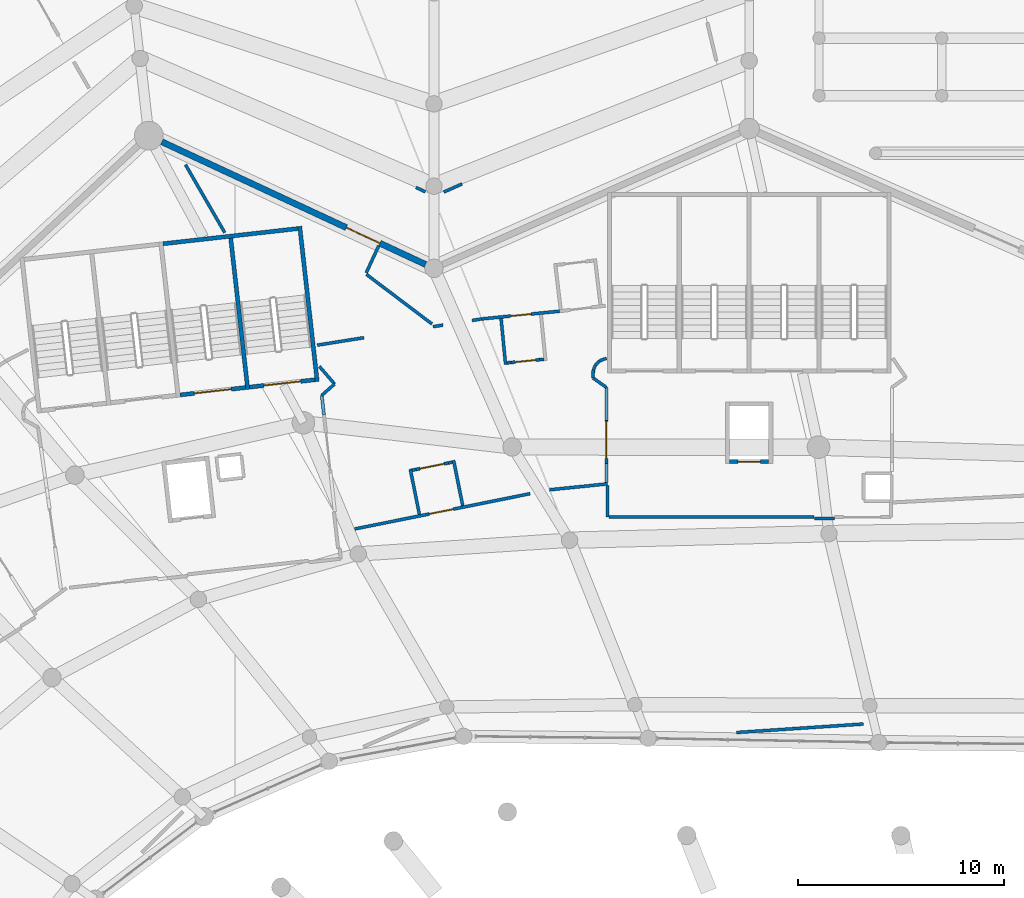
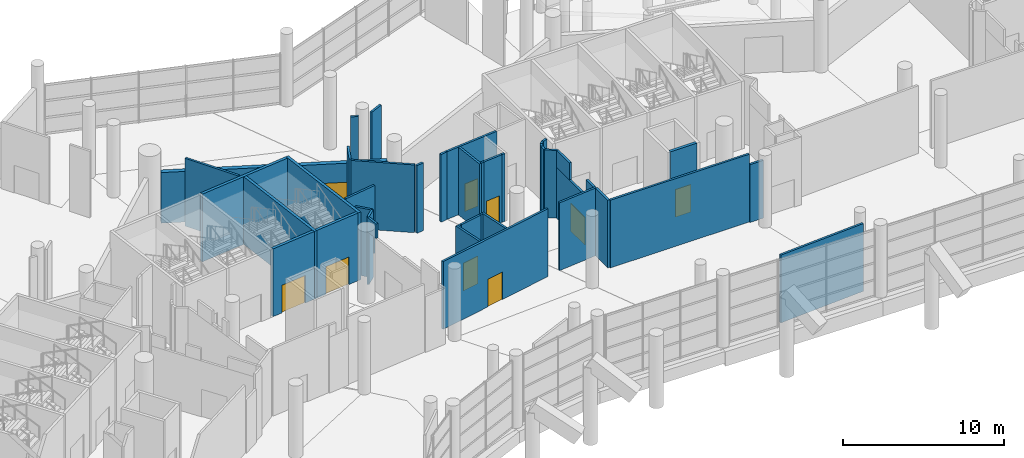
# One storey, part 187 of 271: 42 walls, 9 doors, 9 openings.
"""IFC4 building model written with IfcOpenShell, lengths in metres."""

from ifc_helpers import new_model, si_unit, direction, frame, frame_2d, origin, place, context, subcontext, project, spatial, rectangle, extrude, material, layer, layer_set, type_object, element, fill, save


model = new_model("IFC4")

# Units and contexts
model_context = context("Model", 3, precision=1e-05, world=origin(), true_north=direction((0.0, 1.0)))
body_context = subcontext(model_context, "Body", "Model", "MODEL_VIEW")
ifc_project = project(units=[si_unit("LENGTHUNIT", "METRE"), si_unit("AREAUNIT", "SQUARE_METRE"), si_unit("VOLUMEUNIT", "CUBIC_METRE"), si_unit("PLANEANGLEUNIT", "RADIAN"), si_unit("MASSUNIT", "GRAM", prefix="KILO")], contexts=[model_context])

# Site, building, storey
site_placement = place(None, origin())
site = spatial("IfcSite", under=ifc_project, at=site_placement, CompositionType="ELEMENT")
building_placement = place(site_placement, origin())
building = spatial("IfcBuilding", under=site, at=building_placement, Name="Meseta Stadium", CompositionType="ELEMENT")
storey_placement = place(building_placement, frame((0.0, 0.0, 6.5)))
storey = spatial("IfcBuildingStorey", under=building, at=storey_placement, Name="L01", CompositionType="ELEMENT", Elevation=6.5)

# Wall
ifc_material_1 = material(Name="Concrete C40/50", Category="concrete")
ifc_layer_1 = layer(ifc_material_1, 0.199951171875)
ifc_layer_set_1 = layer_set([ifc_layer_1], Name="Core divider wall 200")
wall_type_1 = type_object("IfcWallType", Name="Core divider wall 200", PredefinedType="SHEAR", material=ifc_layer_set_1)
wall_1_placement = place(storey_placement, frame((-48.241943359375, 100.264892578125, 0.0), z_axis=(0.0, 0.0, 1.0), x_axis=(0.111954577255, -0.993713325176, 0.0)))
element("IfcWall", 1, at=wall_1_placement, inside=storey, type_object=wall_type_1, Name="Core 12 L01 stair A divider wall", PredefinedType="SHEAR", context=body_context, shape_type="SweptSolid", body=[
    extrude(rectangle(XDim=7.599853515625, YDim=0.199951171875, at=frame_2d((3.7998046875, 0.0))), origin(), (0.0, 0.0, 1.0), 5.14990234375),
])

# Wall, opening, door
ifc_material_2 = material(Name="Concrete C40/50", Category="concrete")
ifc_layer_2 = layer(ifc_material_2, 0.199951171875)
ifc_layer_set_2 = layer_set([ifc_layer_2], Name="Core shaft wall 200")
wall_type_2 = type_object("IfcWallType", Name="Core shaft wall 200", PredefinedType="SHEAR", material=ifc_layer_set_2)
wall_2_placement = place(storey_placement, frame((-22.050048828125, 89.199951171875, 0.0), z_axis=(0.0, 0.0, 1.0), x_axis=(-1.0, 0.0, 0.0)))
wall_2 = element("IfcWall", 2, at=wall_2_placement, inside=storey, type_object=wall_type_2, Name="Core 11 L01 lift shaft front wall", PredefinedType="SHEAR", context=body_context, shape_type="SweptSolid", body=[
    extrude(rectangle(XDim=1.89990234375, YDim=0.199951171875, at=frame_2d((0.949951171875, 0.0))), origin(), (0.0, 0.0, 1.0), 5.14990234375),
])
opening_1_placement = place(wall_2_placement, frame((0.39990234375, 0.0, 0.0)))
opening_1 = element("IfcOpeningElement", 3, at=opening_1_placement, cuts=wall_2, Name="Opening LD59", PredefinedType="OPENING", context=body_context, shape_type="SweptSolid", body=[
    extrude(rectangle(XDim=1.10009765625, YDim=2.10009765625, at=frame_2d((0.550048828125, 1.050048828125))), frame((0.0, 0.10986328125, 0.0), z_axis=(0.0, -1.0, 0.0), x_axis=(1.0, 0.0, 0.0)), (0.0, 0.0, 1.0), 0.219970703125),
])
ifc_material_3 = material(Name="Steel", Category="steel")
door_type_1 = type_object("IfcDoorType", Name="Lift landing door 1100x2100", OperationType="SLIDING_TO_LEFT", PredefinedType="DOOR", material=ifc_material_3)
door_1_placement = place(opening_1_placement, origin())
door_1 = element("IfcDoor", 4, at=door_1_placement, inside=storey, type_object=door_type_1, Name="Lift landing door LD59", OperationType="SLIDING_TO_LEFT", OverallHeight=2.10009765625, OverallWidth=1.10009765625, PredefinedType="DOOR", context=body_context, shape_type="SweptSolid", body=[
    extrude(rectangle(XDim=1.10009765625, YDim=2.10009765625, at=frame_2d((0.550048828125, 1.050048828125))), frame((0.0, 0.02490234375, 0.0), z_axis=(0.0, -1.0, 0.0), x_axis=(1.0, 0.0, 0.0)), (0.0, 0.0, 1.0), 0.050048828125),
])
fill(opening_1, door_1)

# Walls
wall_3_placement = place(storey_placement, frame((-44.86328125, 100.645751953125, 0.0), z_axis=(0.0, 0.0, 1.0), x_axis=(0.111951003472, -0.993713727802, 0.0)))
element("IfcWall", 5, at=wall_3_placement, inside=storey, type_object=wall_type_2, Name="Core 12 L01 stair wall A-side", PredefinedType="SHEAR", context=body_context, shape_type="SweptSolid", body=[
    extrude(rectangle(XDim=7.60009765625, YDim=0.199951171875, at=frame_2d((3.800048828125, 0.0))), origin(), (0.0, 0.0, 1.0), 5.14990234375),
])
wall_4_placement = place(storey_placement, frame((-44.951416015625, 100.53515625, 0.0), z_axis=(0.0, 0.0, 1.0), x_axis=(-0.993711575492, -0.111970106426, 0.0)))
element("IfcWall", 6, at=wall_4_placement, inside=storey, type_object=wall_type_2, Name="Core 12 L01 stair A outer end wall", PredefinedType="SHEAR", context=body_context, shape_type="SweptSolid", body=[
    extrude(rectangle(XDim=6.60009765625, YDim=0.199951171875, at=frame_2d((3.300048828125, 0.0))), origin(), (0.0, 0.0, 1.0), 5.14990234375),
])

# Wall, opening, door
wall_5_placement = place(storey_placement, frame((-44.123046875, 93.181640625, 0.0), z_axis=(0.0, 0.0, 1.0), x_axis=(-0.993717005286, -0.11192190762, 0.0)))
wall_5 = element("IfcWall", 7, at=wall_5_placement, inside=storey, type_object=wall_type_2, Name="Core 12 L01 stair A1 inner end wall", PredefinedType="SHEAR", context=body_context, shape_type="SweptSolid", body=[
    extrude(rectangle(XDim=3.199951171875, YDim=0.199951171875, at=frame_2d((1.60009765625, 0.0))), origin(), (0.0, 0.0, 1.0), 5.14990234375),
])
opening_2_placement = place(wall_5_placement, frame((0.699951171875, 0.0, 0.0)))
opening_2 = element("IfcOpeningElement", 8, at=opening_2_placement, cuts=wall_5, Name="Opening D171", PredefinedType="OPENING", context=body_context, shape_type="SweptSolid", body=[
    extrude(rectangle(XDim=1.800048828125, YDim=2.10009765625, at=frame_2d((0.89990234375, 1.050048828125))), frame((0.0, 0.10986328125, 0.0), z_axis=(0.0, -1.0, 0.0), x_axis=(1.0, 0.0, 0.0)), (0.0, 0.0, 1.0), 0.219970703125),
])
ifc_material_4 = material(Name="Steel", Category="steel")
door_type_2 = type_object("IfcDoorType", Name="Stair door 1800x2100", OperationType="DOUBLE_DOOR_SINGLE_SWING", PredefinedType="DOOR", material=ifc_material_4)
door_2_placement = place(opening_2_placement, origin())
door_2 = element("IfcDoor", 9, at=door_2_placement, inside=storey, type_object=door_type_2, Name="Stair A1 door 12 L01", OperationType="DOUBLE_DOOR_SINGLE_SWING", OverallHeight=2.10009765625, OverallWidth=1.800048828125, PredefinedType="DOOR", context=body_context, shape_type="SweptSolid", body=[
    extrude(rectangle(XDim=1.800048828125, YDim=2.10009765625, at=frame_2d((0.89990234375, 1.050048828125))), frame((0.0, 0.02490234375, 0.0), z_axis=(0.0, -1.0, 0.0), x_axis=(1.0, 0.0, 0.0)), (0.0, 0.0, 1.0), 0.050048828125),
])
fill(opening_2, door_2)

wall_6_placement = place(storey_placement, frame((-47.501708984375, 92.801025390625, 0.0), z_axis=(0.0, 0.0, 1.0), x_axis=(-0.993707560215, -0.112005735442, 0.0)))
wall_6 = element("IfcWall", 10, at=wall_6_placement, inside=storey, type_object=wall_type_2, Name="Core 12 L01 stair A2 inner end wall", PredefinedType="SHEAR", context=body_context, shape_type="SweptSolid", body=[
    extrude(rectangle(XDim=3.19970703125, YDim=0.199951171875, at=frame_2d((1.599853515625, 0.0))), origin(), (0.0, 0.0, 1.0), 5.14990234375),
])
opening_3_placement = place(wall_6_placement, frame((0.699951171875, 0.0, 0.0)))
opening_3 = element("IfcOpeningElement", 11, at=opening_3_placement, cuts=wall_6, Name="Opening D172", PredefinedType="OPENING", context=body_context, shape_type="SweptSolid", body=[
    extrude(rectangle(XDim=1.800048828125, YDim=2.10009765625, at=frame_2d((0.89990234375, 1.050048828125))), frame((0.0, 0.10986328125, 0.0), z_axis=(0.0, -1.0, 0.0), x_axis=(1.0, 0.0, 0.0)), (0.0, 0.0, 1.0), 0.219970703125),
])
door_3_placement = place(opening_3_placement, origin())
door_3 = element("IfcDoor", 12, at=door_3_placement, inside=storey, type_object=door_type_2, Name="Stair A2 door 12 L01", OperationType="DOUBLE_DOOR_SINGLE_SWING", OverallHeight=2.10009765625, OverallWidth=1.800048828125, PredefinedType="DOOR", context=body_context, shape_type="SweptSolid", body=[
    extrude(rectangle(XDim=1.800048828125, YDim=2.10009765625, at=frame_2d((0.89990234375, 1.050048828125))), frame((0.0, 0.02490234375, 0.0), z_axis=(0.0, -1.0, 0.0), x_axis=(1.0, 0.0, 0.0)), (0.0, 0.0, 1.0), 0.050048828125),
])
fill(opening_3, door_3)

ifc_material_5 = material(Name="Masonry blockwork", Category="masonry")
ifc_layer_3 = layer(ifc_material_5, 0.14990234375)
ifc_layer_set_3 = layer_set([ifc_layer_3], Name="Partition 150")
wall_type_3 = type_object("IfcWallType", Name="Partition 150", PredefinedType="PARTITIONING", material=ifc_layer_set_3)
wall_7_placement = place(storey_placement, frame((-42.189208984375, 85.923095703125, 0.0), z_axis=(0.0, 0.0, 1.0), x_axis=(0.980362096197, 0.197205883129, 0.0)))
wall_7 = element("IfcWall", 13, at=wall_7_placement, inside=storey, type_object=wall_type_3, Name="Partition L01 L01-cell10-0-0", PredefinedType="PARTITIONING", context=body_context, shape_type="SweptSolid", body=[
    extrude(rectangle(XDim=8.701904296875, YDim=0.14990234375, at=frame_2d((4.35107421875, 0.0))), origin(), (0.0, 0.0, 1.0), 5.14990234375),
])
opening_4_placement = place(wall_7_placement, frame((3.699951171875, 0.0, 0.0)))
opening_4 = element("IfcOpeningElement", 14, at=opening_4_placement, cuts=wall_7, Name="Opening D652", PredefinedType="OPENING", context=body_context, shape_type="SweptSolid", body=[
    extrude(rectangle(XDim=1.199951171875, YDim=2.10009765625, at=frame_2d((0.60009765625, 1.050048828125))), frame((0.0, 0.0849609375, 0.0), z_axis=(0.0, -1.0, 0.0), x_axis=(1.0, 0.0, 0.0)), (0.0, 0.0, 1.0), 0.169921875),
])
ifc_material_6 = material(Name="Steel", Category="steel")
door_type_3 = type_object("IfcDoorType", Name="Fire door 1200x2100 EI2 60", OperationType="NOTDEFINED", PredefinedType="DOOR", material=ifc_material_6)
door_4_placement = place(opening_4_placement, origin())
door_4 = element("IfcDoor", 15, at=door_4_placement, inside=storey, type_object=door_type_3, Name="Door D652", OperationType="SINGLE_SWING_LEFT", OverallHeight=2.10009765625, OverallWidth=1.199951171875, PredefinedType="DOOR", context=body_context, shape_type="SweptSolid", body=[
    extrude(rectangle(XDim=1.199951171875, YDim=2.10009765625, at=frame_2d((0.60009765625, 1.050048828125))), frame((0.0, 0.02490234375, 0.0), z_axis=(0.0, -1.0, 0.0), x_axis=(1.0, 0.0, 0.0)), (0.0, 0.0, 1.0), 0.050048828125),
])
fill(opening_4, door_4)

# Walls
wall_8_placement = place(storey_placement, frame((-32.710205078125, 87.82958984375, 0.0), z_axis=(0.0, 0.0, 1.0), x_axis=(0.994882835279, 0.101035360476, 0.0)))
element("IfcWall", 16, at=wall_8_placement, inside=storey, type_object=wall_type_3, Name="Partition L01 L01-cell10-0-0", PredefinedType="PARTITIONING", context=body_context, shape_type="SweptSolid", body=[
    extrude(rectangle(XDim=2.82470703125, YDim=0.14990234375, at=frame_2d((1.412353515625, 0.0))), origin(), (0.0, 0.0, 1.0), 5.14990234375),
])
wall_9_placement = place(storey_placement, frame((-29.89990234375, 88.03955078125, 0.0), z_axis=(0.0, 0.0, 1.0), x_axis=(0.0, -1.0, 0.0)))
element("IfcWall", 17, at=wall_9_placement, inside=storey, type_object=wall_type_3, Name="Partition L01 L01-cell10-0-0", PredefinedType="PARTITIONING", context=body_context, shape_type="SweptSolid", body=[
    extrude(rectangle(XDim=1.53955078125, YDim=0.14990234375, at=frame_2d((0.769775390625, 0.0))), origin(), (0.0, 0.0, 1.0), 5.14990234375),
])
wall_10_placement = place(storey_placement, frame((-29.824951171875, 86.5, 0.0), z_axis=(0.0, 0.0, 1.0), x_axis=(1.0, 0.0, 0.0)))
element("IfcWall", 18, at=wall_10_placement, inside=storey, type_object=wall_type_3, Name="Partition L01 L01-cell10-0-0", PredefinedType="PARTITIONING", context=body_context, shape_type="SweptSolid", body=[
    extrude(rectangle(XDim=9.986328125, YDim=0.14990234375, at=frame_2d((4.9931640625, 0.0))), origin(), (0.0, 0.0, 1.0), 5.14990234375),
])
wall_11_placement = place(storey_placement, frame((-17.447021484375, 76.433837890625, 0.0), z_axis=(0.0, 0.0, 1.0), x_axis=(-0.997781666394, -0.066571361774, 0.0)))
element("IfcWall", 19, at=wall_11_placement, inside=storey, type_object=wall_type_3, Name="Partition L01 L01-cell10-0-0", PredefinedType="PARTITIONING", context=body_context, shape_type="SweptSolid", body=[
    extrude(rectangle(XDim=6.1904296875, YDim=0.14990234375, at=frame_2d((3.09521484375, 0.0))), origin(), (0.0, 0.0, 1.0), 5.14990234375),
])
wall_12_placement = place(storey_placement, frame((-48.508056640625, 100.335693359375, 0.0), z_axis=(0.0, 0.0, 1.0), x_axis=(-0.500439359674, 0.865771590715, 0.0)))
element("IfcWall", 20, at=wall_12_placement, inside=storey, type_object=wall_type_3, Name="Partition L01 L01-cell10-2-0", PredefinedType="PARTITIONING", context=body_context, shape_type="SweptSolid", body=[
    extrude(rectangle(XDim=3.82177734375, YDim=0.14990234375, at=frame_2d((1.910888671875, 0.0))), origin(), (0.0, 0.0, 1.0), 5.14990234375),
])

# Wall, opening, door
wall_13_placement = place(storey_placement, frame((-32.2158203125, 96.516845703125, 0.0), z_axis=(0.0, 0.0, 1.0), x_axis=(-0.995135010831, -0.098520608089, 0.0)))
wall_13 = element("IfcWall", 21, at=wall_13_placement, inside=storey, type_object=wall_type_3, Name="Partition L01 L01-cell10-2-0", PredefinedType="PARTITIONING", context=body_context, shape_type="SweptSolid", body=[
    extrude(rectangle(XDim=3.811279296875, YDim=0.14990234375, at=frame_2d((1.90576171875, 0.0))), origin(), (0.0, 0.0, 1.0), 5.14990234375),
])
opening_5_placement = place(wall_13_placement, frame((1.39990234375, 0.0, 0.0)))
opening_5 = element("IfcOpeningElement", 22, at=opening_5_placement, cuts=wall_13, Name="Opening D001", PredefinedType="OPENING", context=body_context, shape_type="SweptSolid", body=[
    extrude(rectangle(XDim=1.0, YDim=2.10009765625, at=frame_2d((0.5, 1.050048828125))), frame((0.0, 0.0849609375, 0.0), z_axis=(0.0, -1.0, 0.0), x_axis=(1.0, 0.0, 0.0)), (0.0, 0.0, 1.0), 0.169921875),
])
ifc_material_7 = material(Name="Steel", Category="steel")
door_type_4 = type_object("IfcDoorType", Name="Fire door 1000x2100 EI2 60", OperationType="NOTDEFINED", PredefinedType="DOOR", material=ifc_material_7)
door_5_placement = place(opening_5_placement, origin())
door_5 = element("IfcDoor", 23, at=door_5_placement, inside=storey, type_object=door_type_4, Name="Room door L01 L01-cell10-2-0", OperationType="SINGLE_SWING_RIGHT", OverallHeight=2.10009765625, OverallWidth=1.0, PredefinedType="DOOR", context=body_context, shape_type="SweptSolid", body=[
    extrude(rectangle(XDim=1.0, YDim=2.10009765625, at=frame_2d((0.5, 1.050048828125))), frame((0.0, 0.02490234375, 0.0), z_axis=(0.0, -1.0, 0.0), x_axis=(1.0, 0.0, 0.0)), (0.0, 0.0, 1.0), 0.050048828125),
])
fill(opening_5, door_5)

# Walls
wall_14_placement = place(storey_placement, frame((-36.008544921875, 96.141357421875, 0.0), z_axis=(0.0, 0.0, 1.0), x_axis=(-0.987478956235, -0.157750787614, 0.0)))
element("IfcWall", 24, at=wall_14_placement, inside=storey, type_object=wall_type_3, Name="Partition L01 L01-cell10-2-0", PredefinedType="PARTITIONING", context=body_context, shape_type="SweptSolid", body=[
    extrude(rectangle(XDim=0.4765625, YDim=0.14990234375, at=frame_2d((0.23828125, 0.0))), origin(), (0.0, 0.0, 1.0), 5.14990234375),
])
wall_15_placement = place(storey_placement, frame((-37.891357421875, 95.841064453125, 0.0), z_axis=(0.0, 0.0, 1.0), x_axis=(-0.987539881519, -0.157368937247, 0.0)))
element("IfcWall", 25, at=wall_15_placement, inside=storey, type_object=wall_type_3, Name="Partition L01 L01-cell10-2-0", PredefinedType="PARTITIONING", context=body_context, shape_type="SweptSolid", body=[
    extrude(rectangle(XDim=0.490234375, YDim=0.14990234375, at=frame_2d((0.2451171875, 0.0))), origin(), (0.0, 0.0, 1.0), 5.14990234375),
])
wall_16_placement = place(storey_placement, frame((-36.964599609375, 102.70751953125, 0.0), z_axis=(0.0, 0.0, 1.0), x_axis=(-0.914193086295, -0.4052789175, 0.0)))
element("IfcWall", 26, at=wall_16_placement, inside=storey, type_object=wall_type_3, Name="Partition L01 L01-ring10-0", PredefinedType="PARTITIONING", context=body_context, shape_type="SweptSolid", body=[
    extrude(rectangle(XDim=0.975341796875, YDim=0.14990234375, at=frame_2d((0.48779296875, 0.0))), origin(), (0.0, 0.0, 1.0), 5.050048828125),
])
wall_17_placement = place(storey_placement, frame((-38.7548828125, 102.325439453125, 0.0), z_axis=(0.0, 0.0, 1.0), x_axis=(-0.906755828453, 0.421656101067, 0.0)))
element("IfcWall", 27, at=wall_17_placement, inside=storey, type_object=wall_type_3, Name="Partition L01 L01-ring10-0", PredefinedType="PARTITIONING", context=body_context, shape_type="SweptSolid", body=[
    extrude(rectangle(XDim=0.500244140625, YDim=0.14990234375, at=frame_2d((0.25, 0.0))), origin(), (0.0, 0.0, 1.0), 5.050048828125),
])
wall_18_placement = place(storey_placement, frame((-38.42919921875, 95.89697265625, 0.0), z_axis=(0.0, 0.0, 1.0), x_axis=(-0.797833387107, 0.602878002931, 0.0)))
element("IfcWall", 28, at=wall_18_placement, inside=storey, type_object=wall_type_3, Name="Partition L01 cell10-2-0 link", PredefinedType="PARTITIONING", context=body_context, shape_type="SweptSolid", body=[
    extrude(rectangle(XDim=3.99853515625, YDim=0.14990234375, at=frame_2d((1.999267578125, 0.0))), origin(), (0.0, 0.0, 1.0), 5.14990234375),
])
wall_19_placement = place(storey_placement, frame((-41.626953125, 98.383544921875, 0.0), z_axis=(0.0, 0.0, 1.0), x_axis=(0.418061745586, 0.908418613238, 0.0)))
element("IfcWall", 29, at=wall_19_placement, inside=storey, type_object=wall_type_3, Name="Partition L01 cell10-2-0 link", PredefinedType="PARTITIONING", context=body_context, shape_type="SweptSolid", body=[
    extrude(rectangle(XDim=1.4453125, YDim=0.14990234375, at=frame_2d((0.72265625, 0.0))), origin(), (0.0, 0.0, 1.0), 5.14990234375),
])
wall_20_placement = place(storey_placement, frame((-41.739013671875, 95.2275390625, 0.0), z_axis=(0.0, 0.0, 1.0), x_axis=(-0.987519978733, -0.157493782745, 0.0)))
element("IfcWall", 30, at=wall_20_placement, inside=storey, type_object=wall_type_3, Name="Partition L01 L01-cell10-2-0.1", PredefinedType="PARTITIONING", context=body_context, shape_type="SweptSolid", body=[
    extrude(rectangle(XDim=2.300537109375, YDim=0.14990234375, at=frame_2d((1.150390625, 0.0))), origin(), (0.0, 0.0, 1.0), 5.14990234375),
])
wall_21_placement = place(storey_placement, frame((-29.9384765625, 94.228759765625, 0.0), z_axis=(0.0, 0.0, 1.0), x_axis=(-0.937674325327, -0.347515265308, 0.0)))
element("IfcWall", 31, at=wall_21_placement, inside=storey, type_object=wall_type_3, Name="Stair vestibule wall L01 core 11", PredefinedType="PARTITIONING", context=body_context, shape_type="SweptSolid", body=[
    extrude(rectangle(XDim=0.356201171875, YDim=0.14990234375, at=frame_2d((0.17822265625, 0.0))), origin(), (0.0, 0.0, 1.0), 5.14990234375),
])
wall_22_placement = place(storey_placement, frame((-30.2724609375, 94.10498046875, 0.0), z_axis=(0.0, 0.0, 1.0), x_axis=(-0.707534941396, -0.706678361564, 0.0)))
element("IfcWall", 32, at=wall_22_placement, inside=storey, type_object=wall_type_3, Name="Stair vestibule wall L01 core 11", PredefinedType="PARTITIONING", context=body_context, shape_type="SweptSolid", body=[
    extrude(rectangle(XDim=0.284912109375, YDim=0.14990234375, at=frame_2d((0.142578125, 0.0))), origin(), (0.0, 0.0, 1.0), 5.14990234375),
])
wall_23_placement = place(storey_placement, frame((-30.47412109375, 93.903564453125, 0.0), z_axis=(0.0, 0.0, 1.0), x_axis=(-0.382275228123, -0.924048510611, 0.0)))
element("IfcWall", 33, at=wall_23_placement, inside=storey, type_object=wall_type_3, Name="Stair vestibule wall L01 core 11", PredefinedType="PARTITIONING", context=body_context, shape_type="SweptSolid", body=[
    extrude(rectangle(XDim=0.28173828125, YDim=0.14990234375, at=frame_2d((0.140869140625, 0.0))), origin(), (0.0, 0.0, 1.0), 5.14990234375),
])
wall_24_placement = place(storey_placement, frame((-30.581787109375, 93.643310546875, 0.0), z_axis=(0.0, 0.0, 1.0), x_axis=(-0.038982051143, -0.999239910977, 0.0)))
element("IfcWall", 34, at=wall_24_placement, inside=storey, type_object=wall_type_3, Name="Stair vestibule wall L01 core 11", PredefinedType="PARTITIONING", context=body_context, shape_type="SweptSolid", body=[
    extrude(rectangle(XDim=0.375732421875, YDim=0.14990234375, at=frame_2d((0.18798828125, 0.0))), origin(), (0.0, 0.0, 1.0), 5.14990234375),
])
wall_25_placement = place(storey_placement, frame((-30.596435546875, 93.267822265625, 0.0), z_axis=(0.0, 0.0, 1.0), x_axis=(0.817731616096, -0.57559969079, 0.0)))
element("IfcWall", 35, at=wall_25_placement, inside=storey, type_object=wall_type_3, Name="Stair vestibule wall L01 core 11", PredefinedType="PARTITIONING", context=body_context, shape_type="SweptSolid", body=[
    extrude(rectangle(XDim=0.796630859375, YDim=0.14990234375, at=frame_2d((0.3984375, 0.0))), origin(), (0.0, 0.0, 1.0), 5.14990234375),
])

# Wall, opening, door
wall_26_placement = place(storey_placement, frame((-29.945068359375, 92.809326171875, 0.0), z_axis=(0.0, 0.0, 1.0), x_axis=(0.0, -1.0, 0.0)))
wall_26 = element("IfcWall", 36, at=wall_26_placement, inside=storey, type_object=wall_type_3, Name="Stair vestibule wall L01 core 11", PredefinedType="PARTITIONING", context=body_context, shape_type="SweptSolid", body=[
    extrude(rectangle(XDim=4.61865234375, YDim=0.14990234375, at=frame_2d((2.309326171875, 0.0))), origin(), (0.0, 0.0, 1.0), 3.85009765625),
])
opening_6_placement = place(wall_26_placement, frame((1.64990234375, 0.0, 0.0)))
opening_6 = element("IfcOpeningElement", 37, at=opening_6_placement, cuts=wall_26, Name="Opening D770", PredefinedType="OPENING", context=body_context, shape_type="SweptSolid", body=[
    extrude(rectangle(XDim=1.800048828125, YDim=2.10009765625, at=frame_2d((0.89990234375, 1.050048828125))), frame((0.0, 0.0849609375, 0.0), z_axis=(0.0, -1.0, 0.0), x_axis=(1.0, 0.0, 0.0)), (0.0, 0.0, 1.0), 0.169921875),
])
ifc_material_8 = material(Name="Steel", Category="steel")
door_type_5 = type_object("IfcDoorType", Name="Fire double door 1800x2100 EI2 60", OperationType="DOUBLE_DOOR_SINGLE_SWING", PredefinedType="DOOR", material=ifc_material_8)
door_6_placement = place(opening_6_placement, origin())
door_6 = element("IfcDoor", 38, at=door_6_placement, inside=storey, type_object=door_type_5, Name="Stair vestibule door L01 core 11", OperationType="DOUBLE_DOOR_SINGLE_SWING", OverallHeight=2.10009765625, OverallWidth=1.800048828125, PredefinedType="DOOR", context=body_context, shape_type="SweptSolid", body=[
    extrude(rectangle(XDim=1.800048828125, YDim=2.10009765625, at=frame_2d((0.89990234375, 1.050048828125))), frame((0.0, 0.02490234375, 0.0), z_axis=(0.0, -1.0, 0.0), x_axis=(1.0, 0.0, 0.0)), (0.0, 0.0, 1.0), 0.050048828125),
])
fill(opening_6, door_6)

# Walls
wall_27_placement = place(storey_placement, frame((-29.945068359375, 92.809326171875, 3.85009765625), z_axis=(0.0, 0.0, 1.0), x_axis=(0.0, -1.0, 0.0)))
element("IfcWall", 39, at=wall_27_placement, inside=storey, type_object=wall_type_3, Name="Stair vestibule wall L01 core 11", PredefinedType="PARTITIONING", context=body_context, shape_type="SweptSolid", body=[
    extrude(rectangle(XDim=1.60009765625, YDim=0.14990234375, at=frame_2d((0.800048828125, 0.0))), origin(), (0.0, 0.0, 1.0), 1.2998046875),
])
wall_28_placement = place(storey_placement, frame((-29.945068359375, 89.10791015625, 3.85009765625), z_axis=(0.0, 0.0, 1.0), x_axis=(0.0, -1.0, 0.0)))
element("IfcWall", 40, at=wall_28_placement, inside=storey, type_object=wall_type_3, Name="Stair vestibule wall L01 core 11", PredefinedType="PARTITIONING", context=body_context, shape_type="SweptSolid", body=[
    extrude(rectangle(XDim=0.917236328125, YDim=0.14990234375, at=frame_2d((0.45849609375, 0.0))), origin(), (0.0, 0.0, 1.0), 1.2998046875),
])
wall_29_placement = place(storey_placement, frame((-19.82861328125, 86.425048828125, 0.0), z_axis=(0.0, 0.0, 1.0), x_axis=(1.0, 0.0, 0.0)))
element("IfcWall", 41, at=wall_29_placement, inside=storey, type_object=wall_type_3, Name="Stair vestibule wall L01 core 11", PredefinedType="PARTITIONING", context=body_context, shape_type="SweptSolid", body=[
    extrude(rectangle(XDim=0.967529296875, YDim=0.14990234375, at=frame_2d((0.48388671875, 0.0))), origin(), (0.0, 0.0, 1.0), 4.39990234375),
])
wall_30_placement = place(storey_placement, frame((-43.6845703125, 91.480712890625, 4.050048828125), z_axis=(0.0, 0.0, 1.0), x_axis=(-0.111674075876, 0.99374488717, 0.0)))
element("IfcWall", 42, at=wall_30_placement, inside=storey, type_object=wall_type_3, Name="Stair vestibule wall L01 core 12", PredefinedType="PARTITIONING", context=body_context, shape_type="SweptSolid", body=[
    extrude(rectangle(XDim=0.94873046875, YDim=0.14990234375, at=frame_2d((0.474365234375, 0.0))), origin(), (0.0, 0.0, 1.0), 1.099853515625),
])
wall_31_placement = place(storey_placement, frame((-43.79052734375, 92.423583984375, 0.0), z_axis=(0.0, 0.0, 1.0), x_axis=(0.747490432018, 0.664272575109, 0.0)))
element("IfcWall", 43, at=wall_31_placement, inside=storey, type_object=wall_type_3, Name="Stair vestibule wall L01 core 12", PredefinedType="PARTITIONING", context=body_context, shape_type="SweptSolid", body=[
    extrude(rectangle(XDim=0.830322265625, YDim=0.14990234375, at=frame_2d((0.4150390625, 0.0))), origin(), (0.0, 0.0, 1.0), 5.14990234375),
])
wall_32_placement = place(storey_placement, frame((-43.169921875, 92.97509765625, 0.0), z_axis=(0.0, 0.0, 1.0), x_axis=(-0.651825129524, 0.75836930352, 0.0)))
element("IfcWall", 44, at=wall_32_placement, inside=storey, type_object=wall_type_3, Name="Stair vestibule wall L01 core 12", PredefinedType="PARTITIONING", context=body_context, shape_type="SweptSolid", body=[
    extrude(rectangle(XDim=1.12744140625, YDim=0.14990234375, at=frame_2d((0.563720703125, 0.0))), origin(), (0.0, 0.0, 1.0), 5.14990234375),
])
for number, where, z_axis, x_axis, name in (
    (45, (-39.042236328125, 86.632568359375, 0.0), (0.0, 0.0, 1.0), (-0.197159372057, 0.980371451038, 0.0), "Partition L01 L01-cell10-0-0 vestibule"),
    (46, (-36.934326171875, 87.056396484375, 0.0), (0.0, 0.0, 1.0), (-0.197263658984, 0.980350472456, 0.0), "Partition L01 L01-cell10-0-0 vestibule"),
):
    element("IfcWall", number, at=place(storey_placement, frame(where, z_axis=z_axis, x_axis=x_axis)), inside=storey, type_object=wall_type_3, Name=name, PredefinedType="PARTITIONING", context=body_context, shape_type="SweptSolid", body=[
        extrude(rectangle(XDim=2.25, YDim=0.14990234375, at=frame_2d((1.125, 0.0))), origin(), (0.0, 0.0, 1.0), 5.14990234375),
    ])
wall_33_placement = place(storey_placement, frame((-39.397705078125, 88.779541015625, 0.0), z_axis=(0.0, 0.0, 1.0), x_axis=(0.980250639168, 0.197759157591, 0.0)))
element("IfcWall", 47, at=wall_33_placement, inside=storey, type_object=wall_type_3, Name="Partition L01 L01-cell10-0-0 vestibule", PredefinedType="PARTITIONING", context=body_context, shape_type="SweptSolid", body=[
    extrude(rectangle(XDim=0.199951171875, YDim=0.14990234375, at=frame_2d((0.10009765625, 0.0))), origin(), (0.0, 0.0, 1.0), 5.14990234375),
])

# Wall, opening, door
wall_34_placement = place(storey_placement, frame((-39.20166015625, 88.819091796875, 0.0), z_axis=(0.0, 0.0, 1.0), x_axis=(0.98037473159, 0.197143058866, 0.0)))
wall_34 = element("IfcWall", 48, at=wall_34_placement, inside=storey, type_object=wall_type_3, Name="Partition L01 L01-cell10-0-0 vestibule", PredefinedType="PARTITIONING", context=body_context, shape_type="SweptSolid", body=[
    extrude(rectangle(XDim=1.60009765625, YDim=0.14990234375, at=frame_2d((0.800048828125, 0.0))), origin(), (0.0, 0.0, 1.0), 5.14990234375),
])
opening_7_placement = place(wall_34_placement, frame((0.199951171875, 0.0, 0.0)))
opening_7 = element("IfcOpeningElement", 49, at=opening_7_placement, cuts=wall_34, Name="Opening D896", PredefinedType="OPENING", context=body_context, shape_type="SweptSolid", body=[
    extrude(rectangle(XDim=1.199951171875, YDim=2.10009765625, at=frame_2d((0.60009765625, 1.050048828125))), frame((0.0, 0.0849609375, 0.0), z_axis=(0.0, -1.0, 0.0), x_axis=(1.0, 0.0, 0.0)), (0.0, 0.0, 1.0), 0.169921875),
])
door_7_placement = place(opening_7_placement, origin())
door_7 = element("IfcDoor", 50, at=door_7_placement, inside=storey, type_object=door_type_3, Name="Vestibule door L01 L01-cell10-0-0", OperationType="SINGLE_SWING_LEFT", OverallHeight=2.10009765625, OverallWidth=1.199951171875, PredefinedType="DOOR", context=body_context, shape_type="SweptSolid", body=[
    extrude(rectangle(XDim=1.199951171875, YDim=2.10009765625, at=frame_2d((0.60009765625, 1.050048828125))), frame((0.0, 0.02490234375, 0.0), z_axis=(0.0, -1.0, 0.0), x_axis=(1.0, 0.0, 0.0)), (0.0, 0.0, 1.0), 0.050048828125),
])
fill(opening_7, door_7)

# Walls
wall_35_placement = place(storey_placement, frame((-37.633056640625, 89.134521484375, 0.0), z_axis=(0.0, 0.0, 1.0), x_axis=(0.980250639168, 0.197759157591, 0.0)))
element("IfcWall", 51, at=wall_35_placement, inside=storey, type_object=wall_type_3, Name="Partition L01 L01-cell10-0-0 vestibule", PredefinedType="PARTITIONING", context=body_context, shape_type="SweptSolid", body=[
    extrude(rectangle(XDim=0.199951171875, YDim=0.14990234375, at=frame_2d((0.10009765625, 0.0))), origin(), (0.0, 0.0, 1.0), 5.14990234375),
])
wall_36_placement = place(storey_placement, frame((-35.069580078125, 96.158935546875, 0.0), z_axis=(0.0, 0.0, 1.0), x_axis=(0.098526017182, -0.995134475304, 0.0)))
element("IfcWall", 52, at=wall_36_placement, inside=storey, type_object=wall_type_3, Name="Partition L01 L01-cell10-2-0 vestibule", PredefinedType="PARTITIONING", context=body_context, shape_type="SweptSolid", body=[
    extrude(rectangle(XDim=2.25, YDim=0.14990234375, at=frame_2d((1.125, 0.0))), origin(), (0.0, 0.0, 1.0), 5.14990234375),
])
wall_37_placement = place(storey_placement, frame((-32.9892578125, 94.17919921875, 0.0), z_axis=(0.0, 0.0, 1.0), x_axis=(-0.995216892722, -0.09769000174, 0.0)))
element("IfcWall", 53, at=wall_37_placement, inside=storey, type_object=wall_type_3, Name="Partition L01 L01-cell10-2-0 vestibule", PredefinedType="PARTITIONING", context=body_context, shape_type="SweptSolid", body=[
    extrude(rectangle(XDim=0.199951171875, YDim=0.14990234375, at=frame_2d((0.10009765625, 0.0))), origin(), (0.0, 0.0, 1.0), 5.14990234375),
])

# Wall, opening, door
wall_38_placement = place(storey_placement, frame((-33.188232421875, 94.15966796875, 0.0), z_axis=(0.0, 0.0, 1.0), x_axis=(-0.995118000901, -0.098692270634, 0.0)))
wall_38 = element("IfcWall", 54, at=wall_38_placement, inside=storey, type_object=wall_type_3, Name="Partition L01 L01-cell10-2-0 vestibule", PredefinedType="PARTITIONING", context=body_context, shape_type="SweptSolid", body=[
    extrude(rectangle(XDim=1.400146484375, YDim=0.14990234375, at=frame_2d((0.7001953125, 0.0))), origin(), (0.0, 0.0, 1.0), 5.14990234375),
])
opening_8_placement = place(wall_38_placement, frame((0.199951171875, 0.0, 0.0)))
opening_8 = element("IfcOpeningElement", 55, at=opening_8_placement, cuts=wall_38, Name="Opening D897", PredefinedType="OPENING", context=body_context, shape_type="SweptSolid", body=[
    extrude(rectangle(XDim=1.0, YDim=2.10009765625, at=frame_2d((0.5, 1.050048828125))), frame((0.0, 0.0849609375, 0.0), z_axis=(0.0, -1.0, 0.0), x_axis=(1.0, 0.0, 0.0)), (0.0, 0.0, 1.0), 0.169921875),
])
door_8_placement = place(opening_8_placement, origin())
door_8 = element("IfcDoor", 56, at=door_8_placement, inside=storey, type_object=door_type_4, Name="Vestibule door L01 L01-cell10-2-0", OperationType="SINGLE_SWING_RIGHT", OverallHeight=2.10009765625, OverallWidth=1.0, PredefinedType="DOOR", context=body_context, shape_type="SweptSolid", body=[
    extrude(rectangle(XDim=1.0, YDim=2.10009765625, at=frame_2d((0.5, 1.050048828125))), frame((0.0, 0.02490234375, 0.0), z_axis=(0.0, -1.0, 0.0), x_axis=(1.0, 0.0, 0.0)), (0.0, 0.0, 1.0), 0.050048828125),
])
fill(opening_8, door_8)

# Wall
wall_39_placement = place(storey_placement, frame((-34.58154296875, 94.021484375, 0.0), z_axis=(0.0, 0.0, 1.0), x_axis=(-0.995216892722, -0.09769000174, 0.0)))
element("IfcWall", 57, at=wall_39_placement, inside=storey, type_object=wall_type_3, Name="Partition L01 L01-cell10-2-0 vestibule", PredefinedType="PARTITIONING", context=body_context, shape_type="SweptSolid", body=[
    extrude(rectangle(XDim=0.199951171875, YDim=0.14990234375, at=frame_2d((0.10009765625, 0.0))), origin(), (0.0, 0.0, 1.0), 5.14990234375),
])

# Wall, opening, door
ifc_material_9 = material(Name="White precast concrete C40/50", Category="concrete")
ifc_layer_4 = layer(ifc_material_9, 0.300048828125)
ifc_layer_set_4 = layer_set([ifc_layer_4], Name="Pleated panel wall 300 concourse")
wall_type_4 = type_object("IfcWallType", Name="Pleated panel wall 300 concourse", PredefinedType="SOLIDWALL", material=ifc_layer_set_4)
wall_40_placement = place(storey_placement, frame((-51.56884765625, 104.7568359375, 0.0), z_axis=(0.0, 0.0, 1.0), x_axis=(0.906698705786, -0.421778919491, 0.0)))
wall_40 = element("IfcWall", 58, at=wall_40_placement, inside=storey, type_object=wall_type_4, Name="Pleated facade panel L01 F21", PredefinedType="SOLIDWALL", context=body_context, shape_type="SweptSolid", body=[
    extrude(rectangle(XDim=14.14794921875, YDim=0.300048828125, at=frame_2d((7.073974609375, 0.0))), origin(), (0.0, 0.0, 1.0), 3.85009765625),
])
opening_9_placement = place(wall_40_placement, frame((9.8974609375, 0.0, 0.0)))
opening_9 = element("IfcOpeningElement", 59, at=opening_9_placement, cuts=wall_40, Name="Opening D988", PredefinedType="OPENING", context=body_context, shape_type="SweptSolid", body=[
    extrude(rectangle(XDim=1.800048828125, YDim=2.39990234375, at=frame_2d((0.89990234375, 1.199951171875))), frame((0.0, 0.159912109375, 0.0), z_axis=(0.0, -1.0, 0.0), x_axis=(1.0, 0.0, 0.0)), (0.0, 0.0, 1.0), 0.320068359375),
])
ifc_material_10 = material(Name="Steel", Category="steel")
door_type_6 = type_object("IfcDoorType", Name="Concourse double door 1800x2400", OperationType="DOUBLE_DOOR_SINGLE_SWING", PredefinedType="DOOR", material=ifc_material_10)
door_9_placement = place(opening_9_placement, origin())
door_9 = element("IfcDoor", 60, at=door_9_placement, inside=storey, type_object=door_type_6, Name="Concourse door", OperationType="DOUBLE_DOOR_SINGLE_SWING", OverallHeight=2.39990234375, OverallWidth=1.800048828125, PredefinedType="DOOR", context=body_context, shape_type="SweptSolid", body=[
    extrude(rectangle(XDim=1.800048828125, YDim=2.39990234375, at=frame_2d((0.89990234375, 1.199951171875))), frame((0.0, 0.02490234375, 0.0), z_axis=(0.0, -1.0, 0.0), x_axis=(1.0, 0.0, 0.0)), (0.0, 0.0, 1.0), 0.050048828125),
])
fill(opening_9, door_9)

save(model, "model.ifc")
